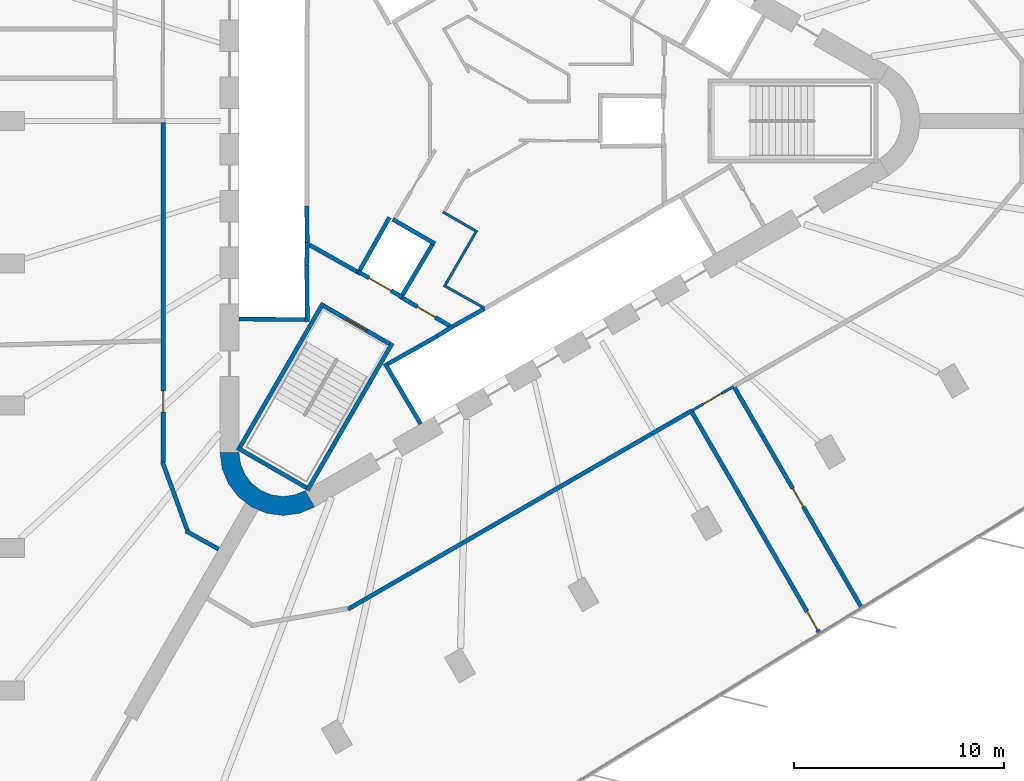
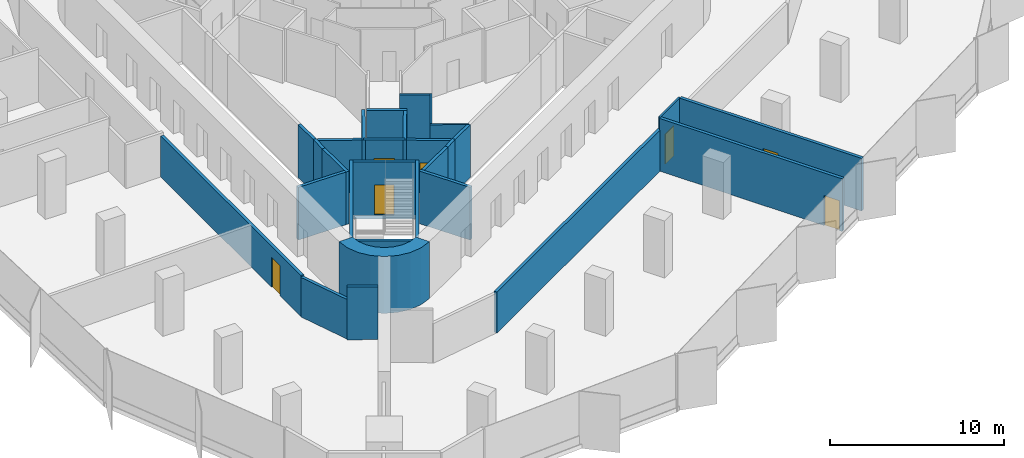
# One storey, part 8 of 14: 29 walls, 7 doors, 7 openings.
"""IFC4 building model written with IfcOpenShell, lengths in metres."""

from ifc_helpers import new_model, si_unit, direction, frame, frame_2d, origin, place, context, subcontext, project, spatial, polyline, rectangle, outline, extrude, material, layer, layer_set, type_object, element, fill, save


model = new_model("IFC4")

# Units and contexts
model_context = context("Model", 3, precision=1e-05, world=origin(), true_north=direction((0.0, 1.0)))
body_context = subcontext(model_context, "Body", "Model", "MODEL_VIEW")
ifc_project = project(units=[si_unit("LENGTHUNIT", "METRE"), si_unit("AREAUNIT", "SQUARE_METRE"), si_unit("VOLUMEUNIT", "CUBIC_METRE"), si_unit("PLANEANGLEUNIT", "RADIAN"), si_unit("MASSUNIT", "GRAM", prefix="KILO")], contexts=[model_context])

# Site, building, storey
site_placement = place(None, origin())
site = spatial("IfcSite", under=ifc_project, at=site_placement, CompositionType="ELEMENT")
building_placement = place(site_placement, origin())
building = spatial("IfcBuilding", under=site, at=building_placement, Name="Tanit Gate Tower", CompositionType="ELEMENT")
storey_placement = place(building_placement, frame((0.0, 0.0, 225.199951171875)))
storey = spatial("IfcBuildingStorey", under=building, at=storey_placement, Name="L50", CompositionType="ELEMENT", Elevation=225.199951171875)

# Walls
ifc_material_1 = material(Name="Concrete C50/60", Category="concrete")
ifc_layer_1 = layer(ifc_material_1, 0.89990234375)
ifc_layer_set_1 = layer_set([ifc_layer_1], Name="CORE WALL 900 C50/60")
wall_type_1 = type_object("IfcWallType", Name="CORE WALL 900 C50/60", PredefinedType="SHEAR", material=ifc_layer_set_1)
wall_1_placement = place(storey_placement, origin())
element("IfcWall", 1, at=wall_1_placement, inside=storey, type_object=wall_type_1, Name="CORE WALL CORNER", PredefinedType="SHEAR", context=body_context, shape_type="SweptSolid", body=[
    extrude(outline(polyline([(-12.10009765625, -15.76171875), (-11.997802734375, -16.5380859375), (-11.697998046875, -17.26171875), (-11.22119140625, -17.883056640625), (-10.60009765625, -18.359619140625), (-9.87646484375, -18.659423828125), (-9.10009765625, -18.76171875), (-8.323486328125, -18.659423828125), (-7.60009765625, -18.359619140625), (-8.050048828125, -17.580322265625), (-8.556396484375, -17.7900390625), (-9.10009765625, -17.86181640625), (-9.6435546875, -17.7900390625), (-10.14990234375, -17.580322265625), (-10.5849609375, -17.24658203125), (-10.918701171875, -16.811767578125), (-11.12841796875, -16.30517578125), (-11.199951171875, -15.76171875), (-12.10009765625, -15.76171875)])), origin(), (0.0, 0.0, 1.0), 4.0),
])
ifc_material_2 = material(Name="Fire-rated gypsum board partition")
ifc_layer_2 = layer(ifc_material_2, 0.199951171875)
ifc_layer_set_2 = layer_set([ifc_layer_2], Name="INT-WALL-COMPARTMENT")
wall_type_2 = type_object("IfcWallType", Name="INT-WALL-COMPARTMENT", PredefinedType="PARTITIONING", material=ifc_layer_set_2)
wall_2_placement = place(storey_placement, frame((-7.84912109375, -5.893798828125, 0.0), z_axis=(0.0, 0.0, 1.0), x_axis=(0.871340486379, -0.490678873396, 0.0)))
element("IfcWall", 2, at=wall_2_placement, inside=storey, type_object=wall_type_2, Name="Wall Compartment W064", PredefinedType="PARTITIONING", context=body_context, shape_type="SweptSolid", body=[
    extrude(rectangle(XDim=2.580810546875, YDim=0.199951171875, at=frame_2d((1.29052734375, 0.0))), origin(), (0.0, 0.0, 1.0), 3.699951171875),
])

# Wall, opening, door
wall_3_placement = place(storey_placement, frame((-3.400634765625, -8.43017578125, 0.0), z_axis=(0.0, 0.0, 1.0), x_axis=(0.860598681535, -0.509283721849, 0.0)))
wall_3 = element("IfcWall", 3, at=wall_3_placement, inside=storey, type_object=wall_type_2, Name="Wall Compartment W065", PredefinedType="PARTITIONING", context=body_context, shape_type="SweptSolid", body=[
    extrude(rectangle(XDim=2.5810546875, YDim=0.199951171875, at=frame_2d((1.29052734375, 0.0))), origin(), (0.0, 0.0, 1.0), 3.699951171875),
])
opening_1_placement = place(wall_3_placement, frame((0.79052734375, 0.0, 0.0)))
opening_1 = element("IfcOpeningElement", 4, at=opening_1_placement, cuts=wall_3, Name="Opening F10-S13-08", PredefinedType="OPENING", context=body_context, shape_type="SweptSolid", body=[
    extrude(rectangle(XDim=1.0, YDim=2.10009765625, at=frame_2d((0.5, 1.050048828125))), frame((0.0, 0.10986328125, 0.0), z_axis=(0.0, -1.0, 0.0), x_axis=(1.0, 0.0, 0.0)), (0.0, 0.0, 1.0), 0.219970703125),
])
ifc_material_3 = material(Name="Fire-rated steel door leaf", Category="steel")
door_type_1 = type_object("IfcDoorType", Name="INT-DOOR-FIRE-1000", OperationType="NOTDEFINED", PredefinedType="USERDEFINED", material=ifc_material_3)
door_1_placement = place(opening_1_placement, origin())
door_1 = element("IfcDoor", 5, at=door_1_placement, inside=storey, type_object=door_type_1, Name="Door F10-S13-08", ObjectType="FIRE DOOR", OperationType="SINGLE_SWING_LEFT", OverallHeight=2.10009765625, OverallWidth=1.0, PredefinedType="USERDEFINED", context=body_context, shape_type="SweptSolid", body=[
    extrude(rectangle(XDim=1.0, YDim=2.10009765625, at=frame_2d((0.5, 1.050048828125))), frame((0.0, 0.02490234375, 0.0), z_axis=(0.0, -1.0, 0.0), x_axis=(1.0, 0.0, 0.0)), (0.0, 0.0, 1.0), 0.050048828125),
])
fill(opening_1, door_1)

# Walls
wall_4_placement = place(storey_placement, frame((-13.722412109375, -19.499267578125, 0.0), z_axis=(0.0, 0.0, 1.0), x_axis=(0.873381780332, -0.487036205824, 0.0)))
element("IfcWall", 6, at=wall_4_placement, inside=storey, type_object=wall_type_2, Name="Wall Compartment W097", PredefinedType="PARTITIONING", context=body_context, shape_type="SweptSolid", body=[
    extrude(rectangle(XDim=1.78466796875, YDim=0.199951171875, at=frame_2d((0.892333984375, 0.0))), origin(), (0.0, 0.0, 1.0), 3.699951171875),
])
wall_5_placement = place(storey_placement, frame((-14.834228515625, -16.22314453125, 0.0), z_axis=(0.0, 0.0, 1.0), x_axis=(0.342017717312, -0.939693503779, 0.0)))
element("IfcWall", 7, at=wall_5_placement, inside=storey, type_object=wall_type_2, Name="Wall Compartment W098", PredefinedType="PARTITIONING", context=body_context, shape_type="SweptSolid", body=[
    extrude(rectangle(XDim=3.4970703125, YDim=0.199951171875, at=frame_2d((1.74853515625, 0.0))), origin(), (0.0, 0.0, 1.0), 2.780029296875),
])

# Wall, opening, door
wall_6_placement = place(storey_placement, frame((-14.800048828125, -0.070068359375, 0.0), z_axis=(0.0, 0.0, 1.0), x_axis=(0.0, -1.0, 0.0)))
wall_6 = element("IfcWall", 8, at=wall_6_placement, inside=storey, type_object=wall_type_2, Name="Wall Compartment W100", PredefinedType="PARTITIONING", context=body_context, shape_type="SweptSolid", body=[
    extrude(rectangle(XDim=16.14697265625, YDim=0.199951171875, at=frame_2d((8.073486328125, 0.0))), origin(), (0.0, 0.0, 1.0), 2.880126953125),
])
opening_2_placement = place(wall_6_placement, frame((12.765380859375, 0.0, 0.0)))
opening_2 = element("IfcOpeningElement", 9, at=opening_2_placement, cuts=wall_6, Name="Opening F10-S13-26", PredefinedType="OPENING", context=body_context, shape_type="SweptSolid", body=[
    extrude(rectangle(XDim=1.0, YDim=2.10009765625, at=frame_2d((0.5, 1.050048828125))), frame((0.0, 0.10986328125, 0.0), z_axis=(0.0, -1.0, 0.0), x_axis=(1.0, 0.0, 0.0)), (0.0, 0.0, 1.0), 0.219970703125),
])
door_2_placement = place(opening_2_placement, origin())
door_2 = element("IfcDoor", 10, at=door_2_placement, inside=storey, type_object=door_type_1, Name="Door F10-S13-26", ObjectType="FIRE DOOR", OperationType="SINGLE_SWING_LEFT", OverallHeight=2.10009765625, OverallWidth=1.0, PredefinedType="USERDEFINED", context=body_context, shape_type="SweptSolid", body=[
    extrude(rectangle(XDim=1.0, YDim=2.10009765625, at=frame_2d((0.5, 1.050048828125))), frame((0.0, 0.02490234375, 0.0), z_axis=(0.0, -1.0, 0.0), x_axis=(1.0, 0.0, 0.0)), (0.0, 0.0, 1.0), 0.050048828125),
])
fill(opening_2, door_2)

# Wall
wall_7_placement = place(storey_placement, frame((-6.018798828125, -23.220458984375, 0.0), z_axis=(0.0, 0.0, 1.0), x_axis=(0.86602143297, 0.50000687759, 0.0)))
element("IfcWall", 11, at=wall_7_placement, inside=storey, type_object=wall_type_2, Name="Wall Compartment W113", PredefinedType="PARTITIONING", context=body_context, shape_type="SweptSolid", body=[
    extrude(rectangle(XDim=18.872802734375, YDim=0.199951171875, at=frame_2d((9.4365234375, 0.0))), origin(), (0.0, 0.0, 1.0), 2.880126953125),
])

# Wall, opening, door
wall_8_placement = place(storey_placement, frame((18.41162109375, -23.149658203125, 0.0), z_axis=(0.0, 0.0, 1.0), x_axis=(-0.500010196161, 0.866019516948, 0.0)))
wall_8 = element("IfcWall", 12, at=wall_8_placement, inside=storey, type_object=wall_type_2, Name="Wall Compartment W134", PredefinedType="PARTITIONING", context=body_context, shape_type="SweptSolid", body=[
    extrude(rectangle(XDim=12.093994140625, YDim=0.199951171875, at=frame_2d((6.046875, 0.0))), origin(), (0.0, 0.0, 1.0), 3.699951171875),
])
opening_3_placement = place(wall_8_placement, frame((5.547119140625, 0.0, 0.0)))
opening_3 = element("IfcOpeningElement", 13, at=opening_3_placement, cuts=wall_8, Name="Opening F10-S13-32", PredefinedType="OPENING", context=body_context, shape_type="SweptSolid", body=[
    extrude(rectangle(XDim=1.0, YDim=2.10009765625, at=frame_2d((0.5, 1.050048828125))), frame((0.0, 0.10986328125, 0.0), z_axis=(0.0, -1.0, 0.0), x_axis=(1.0, 0.0, 0.0)), (0.0, 0.0, 1.0), 0.219970703125),
])
door_3_placement = place(opening_3_placement, origin())
door_3 = element("IfcDoor", 14, at=door_3_placement, inside=storey, type_object=door_type_1, Name="Door F10-S13-32", ObjectType="FIRE DOOR", OperationType="SINGLE_SWING_RIGHT", OverallHeight=2.10009765625, OverallWidth=1.0, PredefinedType="USERDEFINED", context=body_context, shape_type="SweptSolid", body=[
    extrude(rectangle(XDim=1.0, YDim=2.10009765625, at=frame_2d((0.5, 1.050048828125))), frame((0.0, 0.02490234375, 0.0), z_axis=(0.0, -1.0, 0.0), x_axis=(1.0, 0.0, 0.0)), (0.0, 0.0, 1.0), 0.050048828125),
])
fill(opening_3, door_3)

wall_9_placement = place(storey_placement, frame((10.338134765625, -13.845947265625, 0.0), z_axis=(0.0, 0.0, 1.0), x_axis=(0.499990787361, -0.866030722639, 0.0)))
wall_9 = element("IfcWall", 15, at=wall_9_placement, inside=storey, type_object=wall_type_2, Name="Wall Compartment W135", PredefinedType="PARTITIONING", context=body_context, shape_type="SweptSolid", body=[
    extrude(rectangle(XDim=12.155029296875, YDim=0.199951171875, at=frame_2d((6.07763671875, 0.0))), origin(), (0.0, 0.0, 1.0), 3.699951171875),
])
opening_4_placement = place(wall_9_placement, frame((10.955078125, 0.0, 0.0)))
opening_4 = element("IfcOpeningElement", 16, at=opening_4_placement, cuts=wall_9, Name="Opening F10-S13-33", PredefinedType="OPENING", context=body_context, shape_type="SweptSolid", body=[
    extrude(rectangle(XDim=1.0, YDim=2.10009765625, at=frame_2d((0.5, 1.050048828125))), frame((0.0, 0.10986328125, 0.0), z_axis=(0.0, -1.0, 0.0), x_axis=(1.0, 0.0, 0.0)), (0.0, 0.0, 1.0), 0.219970703125),
])
door_4_placement = place(opening_4_placement, origin())
door_4 = element("IfcDoor", 17, at=door_4_placement, inside=storey, type_object=door_type_1, Name="Door F10-S13-33", ObjectType="FIRE DOOR", OperationType="SINGLE_SWING_RIGHT", OverallHeight=2.10009765625, OverallWidth=1.0, PredefinedType="USERDEFINED", context=body_context, shape_type="SweptSolid", body=[
    extrude(rectangle(XDim=1.0, YDim=2.10009765625, at=frame_2d((0.5, 1.050048828125))), frame((0.0, 0.02490234375, 0.0), z_axis=(0.0, -1.0, 0.0), x_axis=(1.0, 0.0, 0.0)), (0.0, 0.0, 1.0), 0.050048828125),
])
fill(opening_4, door_4)

# Walls
ifc_material_4 = material(Name="Gypsum board partition")
ifc_layer_3 = layer(ifc_material_4, 0.1201171875)
ifc_layer_set_3 = layer_set([ifc_layer_3], Name="INT-WALL-PARTITION")
wall_type_3 = type_object("IfcWallType", Name="INT-WALL-PARTITION", PredefinedType="PARTITIONING", material=ifc_layer_set_3)
wall_10_placement = place(storey_placement, frame((-1.464111328125, -7.81591796875, 0.0), z_axis=(0.0, 0.0, 1.0), x_axis=(0.871880202732, -0.489719217597, 0.0)))
element("IfcWall", 18, at=wall_10_placement, inside=storey, type_object=wall_type_3, Name="Wall Partition W069", PredefinedType="PARTITIONING", context=body_context, shape_type="SweptSolid", body=[
    extrude(rectangle(XDim=2.224365234375, YDim=0.1201171875, at=frame_2d((1.1123046875, 0.0))), origin(), (0.0, 0.0, 1.0), 3.699951171875),
])
wall_11_placement = place(storey_placement, frame((0.1181640625, -5.195068359375, 0.0), z_axis=(0.0, 0.0, 1.0), x_axis=(-0.499990139034, -0.866031096941, 0.0)))
element("IfcWall", 19, at=wall_11_placement, inside=storey, type_object=wall_type_3, Name="Wall Partition W070", PredefinedType="PARTITIONING", context=body_context, shape_type="SweptSolid", body=[
    extrude(rectangle(XDim=3.0, YDim=0.1201171875, at=frame_2d((1.5, 0.0))), origin(), (0.0, 0.0, 1.0), 3.699951171875),
])
wall_12_placement = place(storey_placement, frame((-1.5009765625, -4.32958984375, 0.0), z_axis=(0.0, 0.0, 1.0), x_axis=(0.866059624469, -0.499940723351, 0.0)))
element("IfcWall", 20, at=wall_12_placement, inside=storey, type_object=wall_type_3, Name="Wall Partition W071", PredefinedType="PARTITIONING", context=body_context, shape_type="SweptSolid", body=[
    extrude(rectangle(XDim=1.775146484375, YDim=0.1201171875, at=frame_2d((0.8876953125, 0.0))), origin(), (0.0, 0.0, 1.0), 3.699951171875),
])

# Wall, opening, door
wall_13_placement = place(storey_placement, frame((12.317138671875, -12.634033203125, 0.0), z_axis=(0.0, 0.0, 1.0), x_axis=(-0.86602648383, -0.499998129301, 0.0)))
wall_13 = element("IfcWall", 21, at=wall_13_placement, inside=storey, type_object=wall_type_3, Name="Wall Partition W109", PredefinedType="PARTITIONING", context=body_context, shape_type="SweptSolid", body=[
    extrude(rectangle(XDim=2.2998046875, YDim=0.1201171875, at=frame_2d((1.14990234375, 0.0))), origin(), (0.0, 0.0, 1.0), 3.699951171875),
])
opening_5_placement = place(wall_13_placement, frame((0.64990234375, 0.0, 0.0)))
opening_5 = element("IfcOpeningElement", 22, at=opening_5_placement, cuts=wall_13, Name="Opening D10-S13-21", PredefinedType="OPENING", context=body_context, shape_type="SweptSolid", body=[
    extrude(rectangle(XDim=1.0, YDim=2.10009765625, at=frame_2d((0.5, 1.050048828125))), frame((0.0, 0.070068359375, 0.0), z_axis=(0.0, -1.0, 0.0), x_axis=(1.0, 0.0, 0.0)), (0.0, 0.0, 1.0), 0.14013671875),
])
ifc_material_5 = material(Name="Timber door leaf", Category="wood")
door_type_2 = type_object("IfcDoorType", Name="INT-DOOR-SINGLE-1000", OperationType="NOTDEFINED", PredefinedType="NOTDEFINED", material=ifc_material_5)
door_5_placement = place(opening_5_placement, origin())
door_5 = element("IfcDoor", 23, at=door_5_placement, inside=storey, type_object=door_type_2, Name="Door D10-S13-21", OperationType="SINGLE_SWING_LEFT", OverallHeight=2.10009765625, OverallWidth=1.0, PredefinedType="NOTDEFINED", context=body_context, shape_type="SweptSolid", body=[
    extrude(rectangle(XDim=1.0, YDim=2.10009765625, at=frame_2d((0.5, 1.050048828125))), frame((0.0, 0.02490234375, 0.0), z_axis=(0.0, -1.0, 0.0), x_axis=(1.0, 0.0, 0.0)), (0.0, 0.0, 1.0), 0.050048828125),
])
fill(opening_5, door_5)

# Walls
ifc_material_6 = material(Name="Gypsum shaft wall system")
ifc_layer_4 = layer(ifc_material_6, 0.199951171875)
ifc_layer_set_4 = layer_set([ifc_layer_4], Name="INT-WALL-SHAFT")
wall_type_4 = type_object("IfcWallType", Name="INT-WALL-SHAFT", PredefinedType="PLUMBINGWALL", material=ifc_layer_set_4)
wall_14_placement = place(storey_placement, frame((-7.949951171875, -5.7724609375, 0.0), z_axis=(0.0, 0.0, 1.0), x_axis=(-0.030803413295, -0.999525462272, 0.0)))
element("IfcWall", 24, at=wall_14_placement, inside=storey, type_object=wall_type_4, Name="Wall Shaft W008", PredefinedType="PLUMBINGWALL", context=body_context, shape_type="SweptSolid", body=[
    extrude(rectangle(XDim=1.077880859375, YDim=0.199951171875, at=frame_2d((0.5390625, 0.0))), origin(), (0.0, 0.0, 1.0), 3.699951171875),
])
wall_15_placement = place(storey_placement, frame((-7.97998046875, -4.050048828125, 0.0), z_axis=(0.0, 0.0, 1.0), x_axis=(0.016809909365, -0.999858703491, 0.0)))
element("IfcWall", 25, at=wall_15_placement, inside=storey, type_object=wall_type_4, Name="Wall Shaft W009", PredefinedType="PLUMBINGWALL", context=body_context, shape_type="SweptSolid", body=[
    extrude(rectangle(XDim=1.844482421875, YDim=0.199951171875, at=frame_2d((0.92236328125, 0.0))), origin(), (0.0, 0.0, 1.0), 3.699951171875),
])
wall_16_placement = place(storey_placement, frame((-7.97900390625, -6.85009765625, 0.0), z_axis=(0.0, 0.0, 1.0), x_axis=(0.011121475088, -0.999938154483, 0.0)))
element("IfcWall", 26, at=wall_16_placement, inside=storey, type_object=wall_type_4, Name="Wall Shaft W010", PredefinedType="PLUMBINGWALL", context=body_context, shape_type="SweptSolid", body=[
    extrude(rectangle(XDim=2.7001953125, YDim=0.199951171875, at=frame_2d((1.35009765625, 0.0))), origin(), (0.0, 0.0, 1.0), 3.699951171875),
])
wall_17_placement = place(storey_placement, frame((-8.050048828125, -9.448974609375, 0.0), z_axis=(0.0, 0.0, 1.0), x_axis=(-0.999957467379, 0.009222983926, 0.0)))
element("IfcWall", 27, at=wall_17_placement, inside=storey, type_object=wall_type_4, Name="Wall Shaft W011", PredefinedType="PLUMBINGWALL", context=body_context, shape_type="SweptSolid", body=[
    extrude(rectangle(XDim=3.150146484375, YDim=0.199951171875, at=frame_2d((1.5751953125, 0.0))), origin(), (0.0, 0.0, 1.0), 3.699951171875),
])
wall_18_placement = place(storey_placement, frame((-2.557861328125, -14.409423828125, 0.0), z_axis=(0.0, 0.0, 1.0), x_axis=(-0.507997497166, 0.861358544901, 0.0)))
element("IfcWall", 28, at=wall_18_placement, inside=storey, type_object=wall_type_4, Name="Wall Shaft W019", PredefinedType="PLUMBINGWALL", context=body_context, shape_type="SweptSolid", body=[
    extrude(rectangle(XDim=3.350341796875, YDim=0.199951171875, at=frame_2d((1.67529296875, 0.0))), origin(), (0.0, 0.0, 1.0), 3.699951171875),
])
wall_19_placement = place(storey_placement, frame((-1.7685546875, -10.23681640625, 0.0), z_axis=(0.0, 0.0, 1.0), x_axis=(-0.871534483978, -0.490334215854, 0.0)))
element("IfcWall", 29, at=wall_19_placement, inside=storey, type_object=wall_type_4, Name="Wall Shaft W020", PredefinedType="PLUMBINGWALL", context=body_context, shape_type="SweptSolid", body=[
    extrude(rectangle(XDim=2.7001953125, YDim=0.199951171875, at=frame_2d((1.35009765625, 0.0))), origin(), (0.0, 0.0, 1.0), 3.699951171875),
])
wall_20_placement = place(storey_placement, frame((-1.02392578125, -9.77099609375, 0.0), z_axis=(0.0, 0.0, 1.0), x_axis=(-0.850348075135, -0.526220629693, 0.0)))
element("IfcWall", 30, at=wall_20_placement, inside=storey, type_object=wall_type_4, Name="Wall Shaft W021", PredefinedType="PLUMBINGWALL", context=body_context, shape_type="SweptSolid", body=[
    extrude(rectangle(XDim=0.878173828125, YDim=0.199951171875, at=frame_2d((0.43896484375, 0.0))), origin(), (0.0, 0.0, 1.0), 3.699951171875),
])
wall_21_placement = place(storey_placement, frame((-1.13037109375, -9.83154296875, 0.0), z_axis=(0.0, 0.0, 1.0), x_axis=(0.871988740738, 0.489525929882, 0.0)))
element("IfcWall", 31, at=wall_21_placement, inside=storey, type_object=wall_type_4, Name="Wall Shaft W022", PredefinedType="PLUMBINGWALL", context=body_context, shape_type="SweptSolid", body=[
    extrude(rectangle(XDim=1.8447265625, YDim=0.199951171875, at=frame_2d((0.92236328125, 0.0))), origin(), (0.0, 0.0, 1.0), 3.699951171875),
])

# Wall, opening, door
wall_22_placement = place(storey_placement, frame((-3.44580078125, -8.3681640625, 0.0), z_axis=(0.0, 0.0, 1.0), x_axis=(-0.866024647952, 0.500001309137, 0.0)))
wall_22 = element("IfcWall", 32, at=wall_22_placement, inside=storey, type_object=wall_type_4, Name="Wall Shaft W045", PredefinedType="PLUMBINGWALL", context=body_context, shape_type="SweptSolid", body=[
    extrude(rectangle(XDim=2.39990234375, YDim=0.199951171875, at=frame_2d((1.199951171875, 0.0))), origin(), (0.0, 0.0, 1.0), 3.699951171875),
])
opening_6_placement = place(wall_22_placement, frame((0.60009765625, 0.0, 0.0)))
opening_6 = element("IfcOpeningElement", 33, at=opening_6_placement, cuts=wall_22, Name="Opening LDFL3-L50", PredefinedType="OPENING", context=body_context, shape_type="SweptSolid", body=[
    extrude(rectangle(XDim=1.199951171875, YDim=2.39990234375, at=frame_2d((0.60009765625, 1.199951171875))), frame((0.0, 0.10986328125, 0.0), z_axis=(0.0, -1.0, 0.0), x_axis=(1.0, 0.0, 0.0)), (0.0, 0.0, 1.0), 0.219970703125),
])
ifc_material_7 = material(Name="Stainless steel sliding door leaf", Category="steel")
door_type_3 = type_object("IfcDoorType", Name="INT-DOOR-LANDING-1200", OperationType="NOTDEFINED", PredefinedType="USERDEFINED", material=ifc_material_7)
door_6_placement = place(opening_6_placement, origin())
door_6 = element("IfcDoor", 34, at=door_6_placement, inside=storey, type_object=door_type_3, Name="Door LDFL3-L50", ObjectType="LANDING DOOR", OperationType="SLIDING_TO_LEFT", OverallHeight=2.39990234375, OverallWidth=1.199951171875, PredefinedType="USERDEFINED", context=body_context, shape_type="SweptSolid", body=[
    extrude(rectangle(XDim=1.199951171875, YDim=2.39990234375, at=frame_2d((0.60009765625, 1.199951171875))), frame((0.0, 0.02490234375, 0.0), z_axis=(0.0, -1.0, 0.0), x_axis=(1.0, 0.0, 0.0)), (0.0, 0.0, 1.0), 0.050048828125),
])
fill(opening_6, door_6)

# Walls
wall_23_placement = place(storey_placement, frame((-5.5625, -7.29638671875, 0.0), z_axis=(0.0, 0.0, 1.0), x_axis=(0.491322718731, 0.870977603649, 0.0)))
element("IfcWall", 35, at=wall_23_placement, inside=storey, type_object=wall_type_4, Name="Wall Shaft W046", PredefinedType="PLUMBINGWALL", context=body_context, shape_type="SweptSolid", body=[
    extrude(rectangle(XDim=3.10009765625, YDim=0.199951171875, at=frame_2d((1.550048828125, 0.0))), origin(), (0.0, 0.0, 1.0), 3.699951171875),
])
wall_24_placement = place(storey_placement, frame((-3.8916015625, -4.681396484375, 0.0), z_axis=(0.0, 0.0, 1.0), x_axis=(0.866009305107, -0.50002788269, 0.0)))
element("IfcWall", 36, at=wall_24_placement, inside=storey, type_object=wall_type_4, Name="Wall Shaft W047", PredefinedType="PLUMBINGWALL", context=body_context, shape_type="SweptSolid", body=[
    extrude(rectangle(XDim=2.329345703125, YDim=0.199951171875, at=frame_2d((1.16455078125, 0.0))), origin(), (0.0, 0.0, 1.0), 3.699951171875),
])
wall_25_placement = place(storey_placement, frame((-2.01171875, -5.88232421875, 0.0), z_axis=(0.0, 0.0, 1.0), x_axis=(-0.508619639323, -0.860991325447, 0.0)))
element("IfcWall", 37, at=wall_25_placement, inside=storey, type_object=wall_type_4, Name="Wall Shaft W048", PredefinedType="PLUMBINGWALL", context=body_context, shape_type="SweptSolid", body=[
    extrude(rectangle(XDim=3.0, YDim=0.199951171875, at=frame_2d((1.5, 0.0))), origin(), (0.0, 0.0, 1.0), 3.699951171875),
])
ifc_material_8 = material(Name="Concrete C40/50", Category="concrete")
ifc_layer_5 = layer(ifc_material_8, 0.199951171875)
ifc_layer_set_5 = layer_set([ifc_layer_5], Name="INT-WALL-STAIR")
wall_type_5 = type_object("IfcWallType", Name="INT-WALL-STAIR", PredefinedType="SHEAR", material=ifc_layer_set_5)
wall_26_placement = place(storey_placement, frame((-3.904541015625, -10.56298828125, -0.300048828125), z_axis=(0.0, 0.0, 1.0), x_axis=(-0.500012932018, -0.866017937352, 0.0)))
element("IfcWall", 38, at=wall_26_placement, inside=storey, type_object=wall_type_5, Name="Wall Stair W041", PredefinedType="SHEAR", context=body_context, shape_type="SweptSolid", body=[
    extrude(rectangle(XDim=8.099853515625, YDim=0.199951171875, at=frame_2d((4.0498046875, 0.0))), origin(), (0.0, 0.0, 1.0), 4.0),
])
wall_27_placement = place(storey_placement, frame((-11.281982421875, -15.541015625, -0.300048828125), z_axis=(0.0, 0.0, 1.0), x_axis=(0.866000483506, -0.500043160704, 0.0)))
element("IfcWall", 39, at=wall_27_placement, inside=storey, type_object=wall_type_5, Name="Wall Stair W042", PredefinedType="SHEAR", context=body_context, shape_type="SweptSolid", body=[
    extrude(rectangle(XDim=3.800048828125, YDim=0.199951171875, at=frame_2d((1.89990234375, 0.0))), origin(), (0.0, 0.0, 1.0), 4.0),
])
wall_28_placement = place(storey_placement, frame((-7.195556640625, -8.662841796875, -0.300048828125), z_axis=(0.0, 0.0, 1.0), x_axis=(-0.499997992926, -0.866026562566, 0.0)))
element("IfcWall", 40, at=wall_28_placement, inside=storey, type_object=wall_type_5, Name="Wall Stair W043", PredefinedType="SHEAR", context=body_context, shape_type="SweptSolid", body=[
    extrude(rectangle(XDim=7.89990234375, YDim=0.199951171875, at=frame_2d((3.949951171875, 0.0))), origin(), (0.0, 0.0, 1.0), 4.0),
])

# Wall, opening, door
wall_29_placement = place(storey_placement, frame((-4.041259765625, -10.599365234375, -0.300048828125), z_axis=(0.0, 0.0, 1.0), x_axis=(-0.866047807691, 0.499961193289, 0.0)))
wall_29 = element("IfcWall", 41, at=wall_29_placement, inside=storey, type_object=wall_type_5, Name="Wall Stair W044", PredefinedType="SHEAR", context=body_context, shape_type="SweptSolid", body=[
    extrude(rectangle(XDim=3.599853515625, YDim=0.199951171875, at=frame_2d((1.7998046875, 0.0))), origin(), (0.0, 0.0, 1.0), 4.0),
])
opening_7_placement = place(wall_29_placement, frame((1.25, 0.0, 0.300048828125)))
opening_7 = element("IfcOpeningElement", 42, at=opening_7_placement, cuts=wall_29, Name="Opening S11-S13-07", PredefinedType="OPENING", context=body_context, shape_type="SweptSolid", body=[
    extrude(rectangle(XDim=1.10009765625, YDim=2.10009765625, at=frame_2d((0.550048828125, 1.050048828125))), frame((0.0, 0.10986328125, 0.0), z_axis=(0.0, -1.0, 0.0), x_axis=(1.0, 0.0, 0.0)), (0.0, 0.0, 1.0), 0.219970703125),
])
ifc_material_9 = material(Name="Timber door leaf", Category="wood")
door_type_4 = type_object("IfcDoorType", Name="INT-DOOR-STAIR-1100", OperationType="NOTDEFINED", PredefinedType="USERDEFINED", material=ifc_material_9)
door_7_placement = place(opening_7_placement, origin())
door_7 = element("IfcDoor", 43, at=door_7_placement, inside=storey, type_object=door_type_4, Name="Door S11-S13-07", ObjectType="FIRE DOOR", OperationType="SINGLE_SWING_LEFT", OverallHeight=2.10009765625, OverallWidth=1.10009765625, PredefinedType="USERDEFINED", context=body_context, shape_type="SweptSolid", body=[
    extrude(rectangle(XDim=1.10009765625, YDim=2.10009765625, at=frame_2d((0.550048828125, 1.050048828125))), frame((0.0, 0.02490234375, 0.0), z_axis=(0.0, -1.0, 0.0), x_axis=(1.0, 0.0, 0.0)), (0.0, 0.0, 1.0), 0.050048828125),
])
fill(opening_7, door_7)

save(model, "model.ifc")
